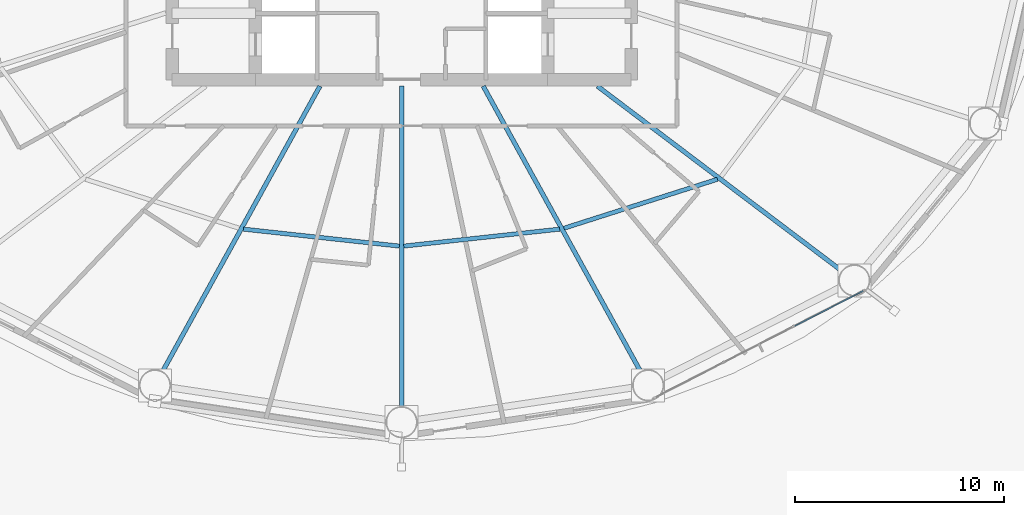
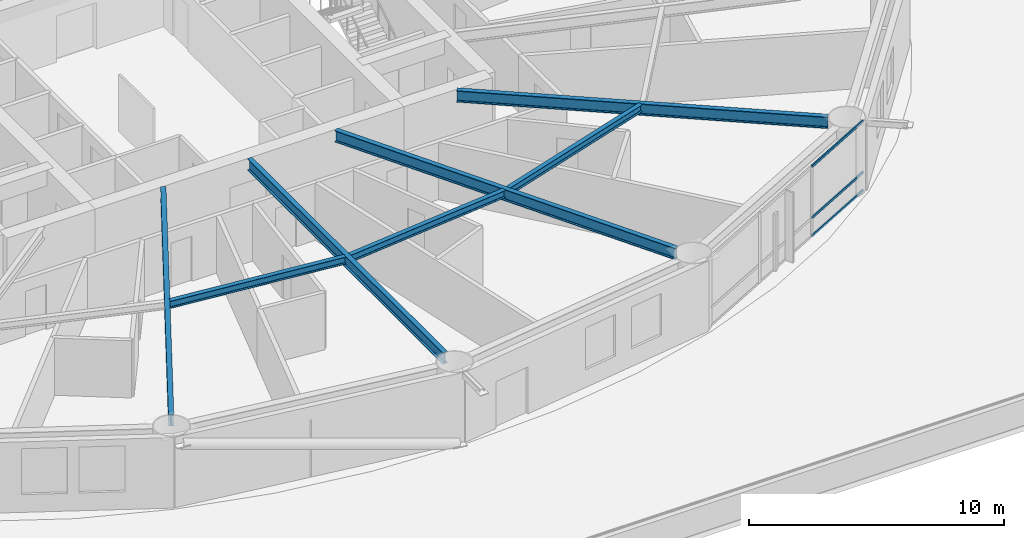
# One storey, part 7 of 30: 7 beams, 3 members, 1 element without a shape of its own.
"""IFC4 building model written with IfcOpenShell, lengths in metres."""

import ifcopenshell
import ifcopenshell.guid

model = None  # the IFC model being written
_history = None  # IfcOwnerHistory: only IFC2X3 demands one
_inside = {}  # id of a spatial element -> (the spatial element, [elements in it])
_under = {}  # id of a project, library or spatial element -> (it, [spatial elements below it])
_declared = {}  # id of a project -> (the project, [libraries it declares])
_typed = {}  # id of a type object -> (the type object, [elements of that type])
_made_of = {}  # id of a material, layer set ... -> (it, [elements and type objects made of it])


def new_model(schema):
    """Start an empty IFC model of exactly this schema.

    Asked for "IFC4X3", IfcOpenShell would pick the latest addendum, in which some entities
    have other attributes; the version numbers below select the first issue.
    IFC2X3 requires an IfcOwnerHistory on every rooted entity: one is made here for all.
    """
    global model, _history
    if schema == "IFC4X3":
        model = ifcopenshell.file(schema_version=(4, 3, 0, 0))
    else:
        model = ifcopenshell.file(schema=schema)
    _inside.clear()
    _under.clear()
    _declared.clear()
    _typed.clear()
    _made_of.clear()
    _history = None
    if model.schema == "IFC2X3":
        org = make("IfcOrganization", Name="unknown")
        user = make(
            "IfcPersonAndOrganization",
            ThePerson=make("IfcPerson", FamilyName="unknown"),
            TheOrganization=org,
        )
        app = make(
            "IfcApplication",
            ApplicationDeveloper=org,
            Version="unknown",
            ApplicationFullName="unknown",
            ApplicationIdentifier="unknown",
        )
        _history = make(
            "IfcOwnerHistory",
            OwningUser=user,
            OwningApplication=app,
            ChangeAction="ADDED",
            CreationDate=0,
        )
    return model


def make(cls, **values):
    """One entity of the class cls with the attributes given. An attribute that is None is left unset."""
    return model.create_entity(
        cls, **{name: value for name, value in values.items() if value is not None}
    )


def rooted(cls, **values):
    """An entity with a GlobalId (a new one), such as an element, a storey or a relation."""
    return make(cls, GlobalId=ifcopenshell.guid.new(), OwnerHistory=_history, **values)


def si_unit(unit_type, name, prefix=None):
    """IfcSIUnit, for example si_unit("LENGTHUNIT", "METRE", prefix="MILLI")."""
    return make("IfcSIUnit", UnitType=unit_type, Prefix=prefix, Name=name)


def assignment(units):
    """IfcUnitAssignment: the units of a project."""
    return None if units is None else make("IfcUnitAssignment", Units=units)


def point(xyz):
    """IfcCartesianPoint."""
    return None if xyz is None else make("IfcCartesianPoint", Coordinates=xyz)


def direction(xyz):
    """IfcDirection."""
    return None if xyz is None else make("IfcDirection", DirectionRatios=xyz)


def frame(location, z_axis=None, x_axis=None):
    """IfcAxis2Placement3D, a coordinate frame: its origin and axes. An axis left out is left unset."""
    return make(
        "IfcAxis2Placement3D",
        Location=point(location),
        Axis=direction(z_axis),
        RefDirection=direction(x_axis),
    )


def frame_2d(location, x_axis=None):
    """IfcAxis2Placement2D, a coordinate frame in the plane: its origin and x axis."""
    return make(
        "IfcAxis2Placement2D", Location=point(location), RefDirection=direction(x_axis)
    )


def origin():
    """The frame at (0, 0, 0) with its axes left unset."""
    return frame((0.0, 0.0, 0.0))


def origin_2d():
    """The frame at (0, 0) in the plane with its x axis left unset."""
    return frame_2d((0.0, 0.0))


def place(relative_to, where):
    """IfcLocalPlacement: puts the frame where relative to a parent placement (None: the world)."""
    return make(
        "IfcLocalPlacement", PlacementRelTo=relative_to, RelativePlacement=where
    )


def context(
    kind, dimensions, precision=None, world=None, true_north=None, identifier=None
):
    """IfcGeometricRepresentationContext, for example the 3D "Model" context."""
    return make(
        "IfcGeometricRepresentationContext",
        ContextIdentifier=identifier,
        ContextType=kind,
        CoordinateSpaceDimension=dimensions,
        Precision=precision,
        WorldCoordinateSystem=world,
        TrueNorth=true_north,
    )


def subcontext(parent, identifier, kind, view, scale=None):
    """IfcGeometricRepresentationSubContext, for example "Body" below "Model"."""
    return make(
        "IfcGeometricRepresentationSubContext",
        ContextIdentifier=identifier,
        ContextType=kind,
        ParentContext=parent,
        TargetScale=scale,
        TargetView=view,
    )


def project(units=None, contexts=None):
    """IfcProject with its units and contexts."""
    return rooted(
        "IfcProject",
        Name="project",
        RepresentationContexts=contexts,
        UnitsInContext=assignment(units),
    )


def spatial(cls, under=None, at=None, **own):
    """A site, building, storey or space (cls), placed at a placement, below another one or the project."""
    s = rooted(cls, ObjectPlacement=at, **own)
    if under is not None:
        _under.setdefault(under.id(), (under, []))[1].append(s)
    return s


def profile(cls, at=None, kind="AREA", **sizes):
    """A parametric profile (cls). Its sizes go by their IFC names, for example OverallWidth=200.0."""
    return make(cls, ProfileType=kind, Position=at, **sizes)


def hollow_rectangle(**sizes):
    """IfcRectangleHollowProfileDef."""
    return profile("IfcRectangleHollowProfileDef", **sizes)


def i_section(**sizes):
    """IfcIShapeProfileDef."""
    return profile("IfcIShapeProfileDef", **sizes)


def extrude(swept, where, along, depth):
    """IfcExtrudedAreaSolid: the profile swept, set in the frame where, extruded along a direction by depth."""
    return make(
        "IfcExtrudedAreaSolid",
        SweptArea=swept,
        Position=where,
        ExtrudedDirection=direction(along),
        Depth=depth,
    )


def shape(context_of_items, identifier, shape_type, items):
    """IfcShapeRepresentation: the items that make up one representation, for example the "Body"."""
    return make(
        "IfcShapeRepresentation",
        ContextOfItems=context_of_items,
        RepresentationIdentifier=identifier,
        RepresentationType=shape_type,
        Items=items,
    )


def material(Name=None, Category=None):
    """IfcMaterial."""
    return make("IfcMaterial", Name=Name, Category=Category)


def layer(
    of_material, thickness, ventilated=None, Name=None, Category=None, Priority=None
):
    """IfcMaterialLayer: one layer of a wall or slab, of a material (None: an air gap)."""
    return make(
        "IfcMaterialLayer",
        Material=of_material,
        LayerThickness=thickness,
        IsVentilated=ventilated,
        Name=Name,
        Category=Category,
        Priority=Priority,
    )


def layer_set(layers, Name=None):
    """IfcMaterialLayerSet."""
    return make("IfcMaterialLayerSet", MaterialLayers=layers, LayerSetName=Name)


def material_profile(
    of_material, cross_section, Name=None, Category=None, Priority=None
):
    """IfcMaterialProfile: a cross section and its material."""
    return make(
        "IfcMaterialProfile",
        Name=Name,
        Material=of_material,
        Profile=cross_section,
        Priority=Priority,
        Category=Category,
    )


def profile_set(profiles, Name=None, composite=None):
    """IfcMaterialProfileSet."""
    return make(
        "IfcMaterialProfileSet",
        Name=Name,
        MaterialProfiles=profiles,
        CompositeProfile=composite,
    )


def made_of(thing, what):
    """Note that an element or type object is made of a material, layer set ...; save() writes the relation."""
    if what is not None:
        _made_of.setdefault(what.id(), (what, []))[1].append(thing)
    return thing


def type_object(cls, material=None, **own):
    """A type object (cls), such as IfcWallType, which elements share."""
    return made_of(rooted(cls, **own), material)


def element(
    cls,
    number,
    at=None,
    inside=None,
    cuts=None,
    type_object=None,
    material=None,
    context=None,
    identifier="Body",
    shape_type=None,
    held_by="IfcProductDefinitionShape",
    body=None,
    shapes=None,
    **own,
):
    """One element of the class cls, such as IfcWall. Its Tag is "e" and its number.

    at: its placement. inside: the storey or other place that contains it. cuts: it is an
    opening in that element (IfcRelVoidsElement). A single representation is given by context,
    identifier, shape_type and body (its items); several are given by shapes. held_by: the class
    of the entity that holds the representations. save() writes the other relations.
    """
    e = rooted(cls, Tag="e%d" % number, ObjectPlacement=at, **own)
    if body is not None:
        shapes = [shape(context, identifier, shape_type, body)]
    if shapes is not None:
        e.Representation = make(held_by, Representations=shapes)
    if inside is not None:
        _inside.setdefault(inside.id(), (inside, []))[1].append(e)
    if cuts is not None:
        rooted(
            "IfcRelVoidsElement", RelatingBuildingElement=cuts, RelatedOpeningElement=e
        )
    if type_object is not None:
        _typed.setdefault(type_object.id(), (type_object, []))[1].append(e)
    return made_of(e, material)


def aggregate(whole, parts):
    """IfcRelAggregates: a whole, such as a stair, and the parts it consists of."""
    return rooted("IfcRelAggregates", RelatingObject=whole, RelatedObjects=parts)


def save(model, path):
    """Write the relations noted so far, then the file.

    IfcRelAggregates (storeys below a building ...), IfcRelContainedInSpatialStructure (elements
    in a storey), IfcRelDefinesByType, IfcRelAssociatesMaterial and IfcRelDeclares: one each for
    every whole, place, type object, material and project.
    """
    for whole, parts in _under.values():
        aggregate(whole, parts)
    for where, things in _inside.values():
        rooted(
            "IfcRelContainedInSpatialStructure",
            RelatedElements=things,
            RelatingStructure=where,
        )
    for kind, things in _typed.values():
        rooted("IfcRelDefinesByType", RelatedObjects=things, RelatingType=kind)
    for what, things in _made_of.values():
        rooted("IfcRelAssociatesMaterial", RelatedObjects=things, RelatingMaterial=what)
    for by, libraries in _declared.values():
        rooted("IfcRelDeclares", RelatingContext=by, RelatedDefinitions=libraries)
    model.write(path)


model = new_model("IFC4")

# Units and contexts
model_context = context("Model", 3, precision=1e-05, world=origin(), true_north=direction((0.0, 1.0)))
body_context = subcontext(model_context, "Body", "Model", "MODEL_VIEW")
ifc_project = project(units=[si_unit("LENGTHUNIT", "METRE"), si_unit("AREAUNIT", "SQUARE_METRE"), si_unit("VOLUMEUNIT", "CUBIC_METRE"), si_unit("PLANEANGLEUNIT", "RADIAN"), si_unit("MASSUNIT", "GRAM", prefix="KILO")], contexts=[model_context])

# Site, building, storey
site_placement = place(None, origin())
site = spatial("IfcSite", under=ifc_project, at=site_placement, CompositionType="ELEMENT")
building_placement = place(site_placement, origin())
building = spatial("IfcBuilding", under=site, at=building_placement, Name="Sarneth Arch Tower", CompositionType="ELEMENT")
storey_placement = place(building_placement, frame((0.0, 0.0, 28.199951171875)))
storey = spatial("IfcBuildingStorey", under=building, at=storey_placement, Name="L05", CompositionType="ELEMENT", Elevation=28.199951171875)

# Beams
ifc_material_1 = material(Name="Steel S355", Category="steel")
ifc_material_profile_1 = material_profile(ifc_material_1, i_section(OverallWidth=0.202880859375, OverallDepth=0.346923828125, WebThickness=0.0078125, FlangeThickness=0.013427734375, FilletRadius=0.014892578125, at=origin_2d()), Name="W360x64")
ifc_profile_set_1 = profile_set([ifc_material_profile_1], Name="Steel S355")
beam_type_1 = type_object("IfcBeamType", Name="BM-JOIST-360C", PredefinedType="JOIST", material=ifc_profile_set_1)
for number, where, z_axis, x_axis, name in (
    (1, (40.421142578125, 28.0498046875, 3.20654296875), (0.994129966112, -0.108192469602, 0.0), (0.108192469602, 0.994129966112, 0.0), "L05 Secondary floor joist 12"),
    (2, (48.1064453125, 27.236572265625, 3.20654296875), (0.994129966112, 0.108192469602, 0.0), (-0.108192469602, 0.994129966112, 0.0), "L05 Secondary floor joist 13"),
):
    element("IfcBeam", number, at=place(storey_placement, frame(where, z_axis=z_axis, x_axis=x_axis)), inside=storey, type_object=beam_type_1, Name=name, PredefinedType="JOIST", context=body_context, shape_type="SweptSolid", body=[
        extrude(i_section(OverallWidth=0.202880859375, OverallDepth=0.346923828125, WebThickness=0.0078125, FlangeThickness=0.013427734375, FilletRadius=0.014892578125, at=origin_2d()), origin(), (0.0, 0.0, 1.0), 7.5166015625),
    ])
beam_1_placement = place(storey_placement, frame((55.787109375, 28.093994140625, 3.20654296875), z_axis=(0.95266836992, 0.304011475036, 0.0), x_axis=(-0.304011475036, 0.95266836992, 0.0)))
element("IfcBeam", 3, at=beam_1_placement, inside=storey, type_object=beam_type_1, Name="L05 Secondary floor joist 14", PredefinedType="JOIST", context=body_context, shape_type="SweptSolid", body=[
    extrude(i_section(OverallWidth=0.202880859375, OverallDepth=0.346923828125, WebThickness=0.0078125, FlangeThickness=0.013427734375, FilletRadius=0.014892578125, at=origin_2d()), origin(), (0.0, 0.0, 1.0), 7.720703125),
])
ifc_material_2 = material(Name="Steel S355", Category="steel")
ifc_material_profile_2 = material_profile(ifc_material_2, i_section(OverallWidth=0.214111328125, OverallDepth=0.549072265625, WebThickness=0.0146484375, FlangeThickness=0.023681640625, FilletRadius=0.01806640625, at=origin_2d()), Name="W530x138")
ifc_profile_set_2 = profile_set([ifc_material_profile_2], Name="Steel S355")
beam_type_2 = type_object("IfcBeamType", Name="BM-RAD-530A", PredefinedType="BEAM", material=ifc_profile_set_2)
beam_2_placement = place(storey_placement, frame((44.08544921875, 34.89990234375, 3.10546875), z_axis=(-0.482841370957, -0.875707833979, 0.0), x_axis=(0.875707833979, -0.482841370957, 0.0)))
element("IfcBeam", 4, at=beam_2_placement, inside=storey, type_object=beam_type_2, Name="L05 Radial floor girder 12", PredefinedType="BEAM", context=body_context, shape_type="SweptSolid", body=[
    extrude(i_section(OverallWidth=0.214111328125, OverallDepth=0.549072265625, WebThickness=0.0146484375, FlangeThickness=0.023681640625, FilletRadius=0.01806640625, at=origin_2d()), origin(), (0.0, 0.0, 1.0), 15.618408203125),
])
beam_3_placement = place(storey_placement, frame((48.0, 34.89990234375, 3.10546875), z_axis=(0.0, -1.0, 0.0), x_axis=(1.0, 0.0, 0.0)))
element("IfcBeam", 5, at=beam_3_placement, inside=storey, type_object=beam_type_2, Name="L05 Radial floor girder 13", PredefinedType="BEAM", context=body_context, shape_type="SweptSolid", body=[
    extrude(i_section(OverallWidth=0.214111328125, OverallDepth=0.549072265625, WebThickness=0.0146484375, FlangeThickness=0.023681640625, FilletRadius=0.01806640625, at=origin_2d()), origin(), (0.0, 0.0, 1.0), 15.349853515625),
])
beam_4_placement = place(storey_placement, frame((51.91455078125, 34.89990234375, 3.10546875), z_axis=(0.482841370957, -0.875707833979, 0.0), x_axis=(0.875707833979, 0.482841370957, 0.0)))
element("IfcBeam", 6, at=beam_4_placement, inside=storey, type_object=beam_type_2, Name="L05 Radial floor girder 14", PredefinedType="BEAM", context=body_context, shape_type="SweptSolid", body=[
    extrude(i_section(OverallWidth=0.214111328125, OverallDepth=0.549072265625, WebThickness=0.0146484375, FlangeThickness=0.023681640625, FilletRadius=0.01806640625, at=origin_2d()), origin(), (0.0, 0.0, 1.0), 15.618408203125),
])
beam_5_placement = place(storey_placement, frame((57.390380859375, 34.89990234375, 3.10546875), z_axis=(0.79765464731, -0.603114469753, 0.0), x_axis=(0.603114469753, 0.79765464731, 0.0)))
element("IfcBeam", 7, at=beam_5_placement, inside=storey, type_object=beam_type_2, Name="L05 Radial floor girder 15", PredefinedType="BEAM", context=body_context, shape_type="SweptSolid", body=[
    extrude(i_section(OverallWidth=0.214111328125, OverallDepth=0.549072265625, WebThickness=0.0146484375, FlangeThickness=0.023681640625, FilletRadius=0.01806640625, at=origin_2d()), origin(), (0.0, 0.0, 1.0), 14.677978515625),
])

# Curtain wall, members
ifc_material_3 = material(Name="Anodised aluminium Type AA25 and solar-control low-e laminated IGU", Category="aluminium")
ifc_layer = layer(ifc_material_3, 0.159912109375)
ifc_layer_set = layer_set([ifc_layer], Name="Anodised aluminium Type AA25 and solar-control low-e laminated IGU")
curtain_wall_type = type_object("IfcCurtainWallType", Name="CW-HOTEL-LOW", PredefinedType="NOTDEFINED", material=ifc_layer_set)
curtain_wall_placement = place(storey_placement, origin())
curtain_wall = element("IfcCurtainWall", 8, at=curtain_wall_placement, inside=storey, type_object=curtain_wall_type, Name="L05 Unitised curtain wall facet 14", PredefinedType="NOTDEFINED")
ifc_material_4 = material(Name="Anodised Aluminium 6063-T6", Category="aluminium")
ifc_material_profile_3 = material_profile(ifc_material_4, hollow_rectangle(XDim=0.06005859375, YDim=0.1201171875, WallThickness=0.00390625, at=origin_2d()), Name="AL-TRAN-120x60x4")
ifc_profile_set_3 = profile_set([ifc_material_profile_3], Name="Anodised Aluminium 6063-T6")
member_type = type_object("IfcMemberType", Name="CW-TRANSOM", PredefinedType="USERDEFINED", material=ifc_profile_set_3)
member_1_placement = place(storey_placement, frame((66.83544921875, 23.402587890625, 0.030029296875), z_axis=(0.889871845224, 0.456210586327, 0.0), x_axis=(-0.456210586327, 0.889871845224, 0.0)))
member_1 = element("IfcMember", 9, at=member_1_placement, type_object=member_type, Name="CW-SYS-3 transom 3.1", ObjectType="TRANSOM", PredefinedType="USERDEFINED", context=body_context, shape_type="SweptSolid", body=[
    extrude(hollow_rectangle(XDim=0.06005859375, YDim=0.1201171875, WallThickness=0.00390625, at=origin_2d()), origin(), (0.0, 0.0, 1.0), 3.69189453125),
])
member_2_placement = place(storey_placement, frame((66.83544921875, 23.402587890625, 0.900146484375), z_axis=(0.889871845224, 0.456210586327, 0.0), x_axis=(-0.456210586327, 0.889871845224, 0.0)))
member_2 = element("IfcMember", 10, at=member_2_placement, type_object=member_type, Name="CW-SYS-3 transom 3.2", ObjectType="TRANSOM", PredefinedType="USERDEFINED", context=body_context, shape_type="SweptSolid", body=[
    extrude(hollow_rectangle(XDim=0.06005859375, YDim=0.1201171875, WallThickness=0.00390625, at=origin_2d()), origin(), (0.0, 0.0, 1.0), 3.69189453125),
])
member_3_placement = place(storey_placement, frame((66.83544921875, 23.402587890625, 3.35009765625), z_axis=(0.889871845224, 0.456210586327, 0.0), x_axis=(-0.456210586327, 0.889871845224, 0.0)))
member_3 = element("IfcMember", 11, at=member_3_placement, type_object=member_type, Name="CW-SYS-3 transom 3.3", ObjectType="TRANSOM", PredefinedType="USERDEFINED", context=body_context, shape_type="SweptSolid", body=[
    extrude(hollow_rectangle(XDim=0.06005859375, YDim=0.1201171875, WallThickness=0.00390625, at=origin_2d()), origin(), (0.0, 0.0, 1.0), 3.69189453125),
])
aggregate(curtain_wall, [member_1, member_2, member_3])

save(model, "model.ifc")
